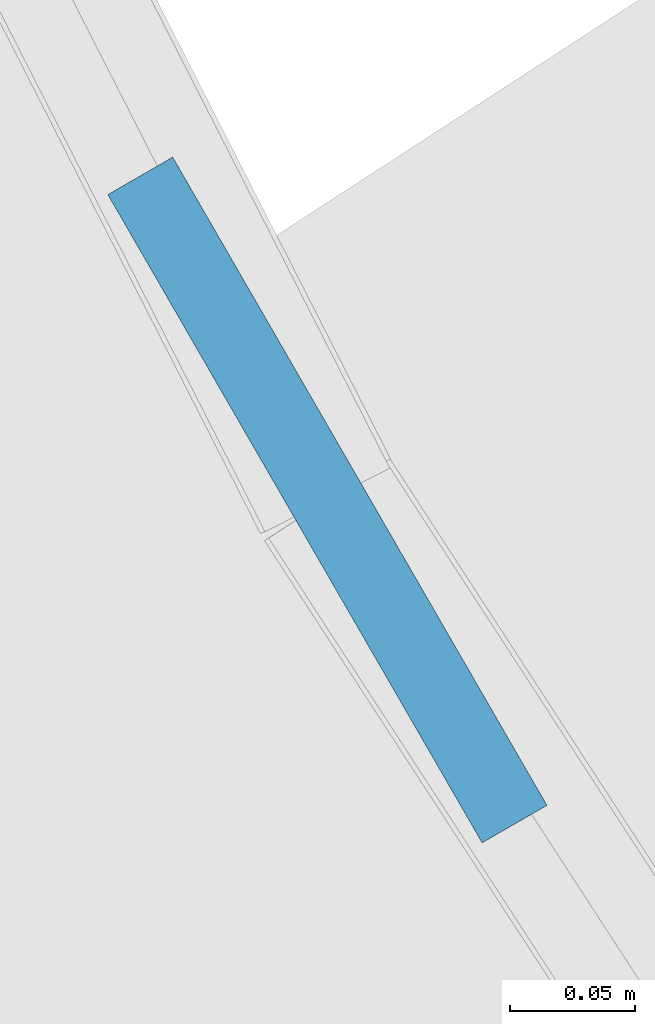
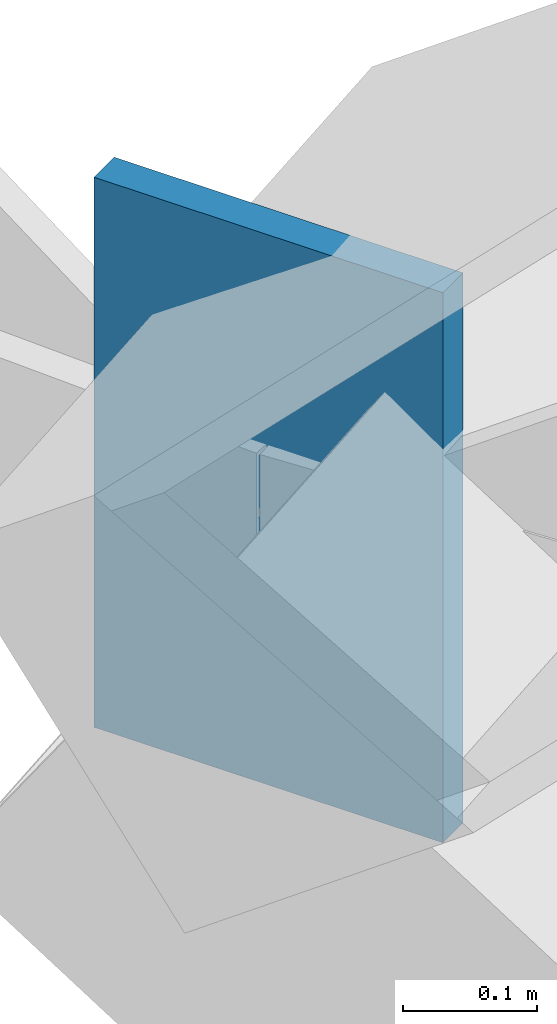
# One storey, part 35 of 36: 1 discrete accessory.
"""IFC4 building model written with IfcOpenShell, lengths in metres."""

from ifc_helpers import new_model, si_unit, direction, frame, origin, origin_2d, place, context, subcontext, project, spatial, rectangle, extrude, material, layer, layer_set, type_object, element, save


model = new_model("IFC4")

# Units and contexts
model_context = context("Model", 3, precision=1e-05, world=origin(), true_north=direction((0.0, 1.0)))
body_context = subcontext(model_context, "Body", "Model", "MODEL_VIEW")
ifc_project = project(units=[si_unit("LENGTHUNIT", "METRE"), si_unit("AREAUNIT", "SQUARE_METRE"), si_unit("VOLUMEUNIT", "CUBIC_METRE"), si_unit("PLANEANGLEUNIT", "RADIAN"), si_unit("MASSUNIT", "GRAM", prefix="KILO")], contexts=[model_context])

# Site, building, storey
site_placement = place(None, origin())
site = spatial("IfcSite", under=ifc_project, at=site_placement, CompositionType="ELEMENT")
building_placement = place(site_placement, origin())
building = spatial("IfcBuilding", under=site, at=building_placement, Name="Ostrander Bayou Hotel Tower", CompositionType="ELEMENT")
storey_placement = place(building_placement, frame((0.0, 0.0, 138.5)))
storey = spatial("IfcBuildingStorey", under=building, at=storey_placement, Name="L34", CompositionType="ELEMENT", Elevation=138.5)

# Discrete accessory
ifc_material = material(Name="Steel ASTM A572 Gr 50", Category="steel")
ifc_layer = layer(ifc_material, 0.030029296875)
ifc_layer_set = layer_set([ifc_layer], Name="GP1 gusset plate 30 mm")
discrete_accessory_type = type_object("IfcDiscreteAccessoryType", Name="GP1 gusset plate 30 mm", PredefinedType="BRACKET", material=ifc_layer_set)
discrete_accessory_placement = place(storey_placement, frame((19.256591796875, 4.909912109375, 2.89990234375), z_axis=(0.0, 0.0, 1.0), x_axis=(-0.5, 0.866025403784, 0.0)))
element("IfcDiscreteAccessory", 1, at=discrete_accessory_placement, inside=storey, type_object=discrete_accessory_type, Name="GP1 gusset plate lat 206", PredefinedType="BRACKET", context=body_context, shape_type="SweptSolid", body=[
    extrude(rectangle(XDim=0.300048828125, YDim=0.030029296875, at=origin_2d()), origin(), (0.0, 0.0, 1.0), 0.5),
])

save(model, "model.ifc")
